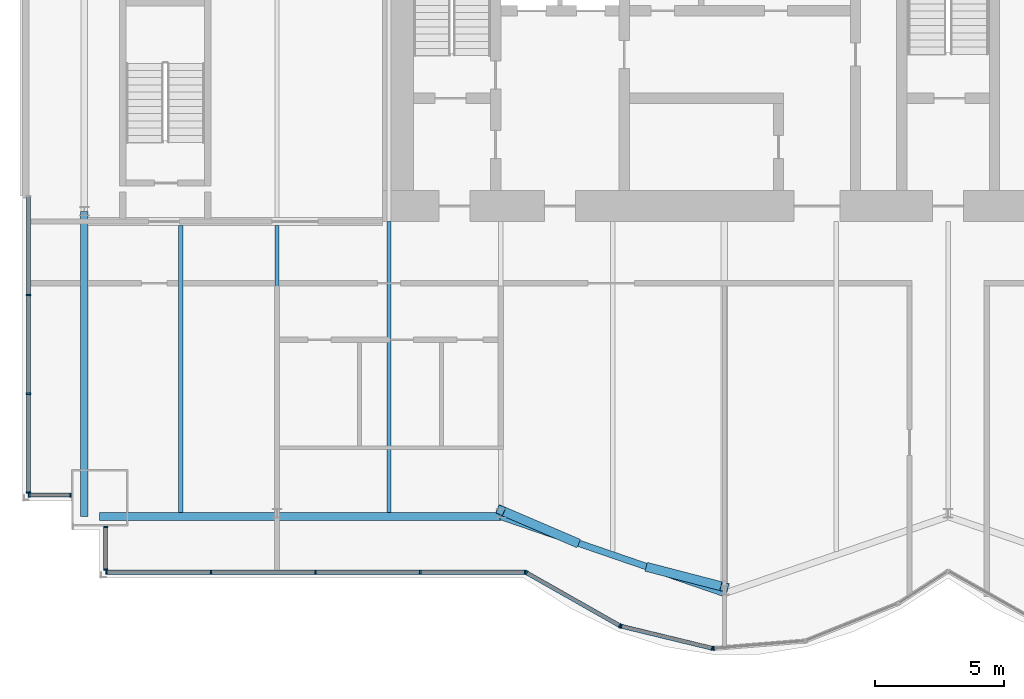
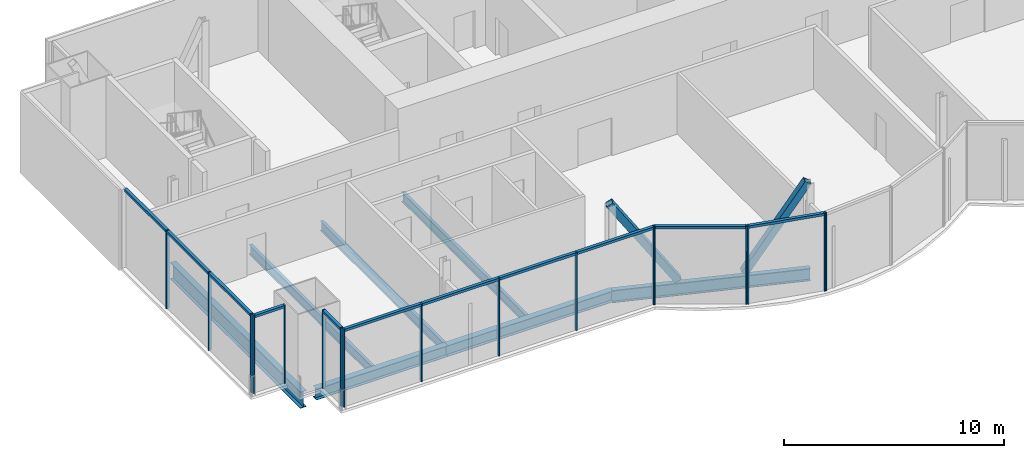
# One storey, part 5 of 18: 30 members, 7 beams, 5 elements without a shape of their own.
"""IFC4 building model written with IfcOpenShell, lengths in metres."""

import ifcopenshell
import ifcopenshell.guid

model = None  # the IFC model being written
_history = None  # IfcOwnerHistory: only IFC2X3 demands one
_inside = {}  # id of a spatial element -> (the spatial element, [elements in it])
_under = {}  # id of a project, library or spatial element -> (it, [spatial elements below it])
_declared = {}  # id of a project -> (the project, [libraries it declares])
_typed = {}  # id of a type object -> (the type object, [elements of that type])
_made_of = {}  # id of a material, layer set ... -> (it, [elements and type objects made of it])


def new_model(schema):
    """Start an empty IFC model of exactly this schema.

    Asked for "IFC4X3", IfcOpenShell would pick the latest addendum, in which some entities
    have other attributes; the version numbers below select the first issue.
    IFC2X3 requires an IfcOwnerHistory on every rooted entity: one is made here for all.
    """
    global model, _history
    if schema == "IFC4X3":
        model = ifcopenshell.file(schema_version=(4, 3, 0, 0))
    else:
        model = ifcopenshell.file(schema=schema)
    _inside.clear()
    _under.clear()
    _declared.clear()
    _typed.clear()
    _made_of.clear()
    _history = None
    if model.schema == "IFC2X3":
        org = make("IfcOrganization", Name="unknown")
        user = make(
            "IfcPersonAndOrganization",
            ThePerson=make("IfcPerson", FamilyName="unknown"),
            TheOrganization=org,
        )
        app = make(
            "IfcApplication",
            ApplicationDeveloper=org,
            Version="unknown",
            ApplicationFullName="unknown",
            ApplicationIdentifier="unknown",
        )
        _history = make(
            "IfcOwnerHistory",
            OwningUser=user,
            OwningApplication=app,
            ChangeAction="ADDED",
            CreationDate=0,
        )
    return model


def make(cls, **values):
    """One entity of the class cls with the attributes given. An attribute that is None is left unset."""
    return model.create_entity(
        cls, **{name: value for name, value in values.items() if value is not None}
    )


def rooted(cls, **values):
    """An entity with a GlobalId (a new one), such as an element, a storey or a relation."""
    return make(cls, GlobalId=ifcopenshell.guid.new(), OwnerHistory=_history, **values)


def si_unit(unit_type, name, prefix=None):
    """IfcSIUnit, for example si_unit("LENGTHUNIT", "METRE", prefix="MILLI")."""
    return make("IfcSIUnit", UnitType=unit_type, Prefix=prefix, Name=name)


def assignment(units):
    """IfcUnitAssignment: the units of a project."""
    return None if units is None else make("IfcUnitAssignment", Units=units)


def point(xyz):
    """IfcCartesianPoint."""
    return None if xyz is None else make("IfcCartesianPoint", Coordinates=xyz)


def direction(xyz):
    """IfcDirection."""
    return None if xyz is None else make("IfcDirection", DirectionRatios=xyz)


def frame(location, z_axis=None, x_axis=None):
    """IfcAxis2Placement3D, a coordinate frame: its origin and axes. An axis left out is left unset."""
    return make(
        "IfcAxis2Placement3D",
        Location=point(location),
        Axis=direction(z_axis),
        RefDirection=direction(x_axis),
    )


def frame_2d(location, x_axis=None):
    """IfcAxis2Placement2D, a coordinate frame in the plane: its origin and x axis."""
    return make(
        "IfcAxis2Placement2D", Location=point(location), RefDirection=direction(x_axis)
    )


def origin():
    """The frame at (0, 0, 0) with its axes left unset."""
    return frame((0.0, 0.0, 0.0))


def origin_2d():
    """The frame at (0, 0) in the plane with its x axis left unset."""
    return frame_2d((0.0, 0.0))


def place(relative_to, where):
    """IfcLocalPlacement: puts the frame where relative to a parent placement (None: the world)."""
    return make(
        "IfcLocalPlacement", PlacementRelTo=relative_to, RelativePlacement=where
    )


def context(
    kind, dimensions, precision=None, world=None, true_north=None, identifier=None
):
    """IfcGeometricRepresentationContext, for example the 3D "Model" context."""
    return make(
        "IfcGeometricRepresentationContext",
        ContextIdentifier=identifier,
        ContextType=kind,
        CoordinateSpaceDimension=dimensions,
        Precision=precision,
        WorldCoordinateSystem=world,
        TrueNorth=true_north,
    )


def subcontext(parent, identifier, kind, view, scale=None):
    """IfcGeometricRepresentationSubContext, for example "Body" below "Model"."""
    return make(
        "IfcGeometricRepresentationSubContext",
        ContextIdentifier=identifier,
        ContextType=kind,
        ParentContext=parent,
        TargetScale=scale,
        TargetView=view,
    )


def project(units=None, contexts=None):
    """IfcProject with its units and contexts."""
    return rooted(
        "IfcProject",
        Name="project",
        RepresentationContexts=contexts,
        UnitsInContext=assignment(units),
    )


def spatial(cls, under=None, at=None, **own):
    """A site, building, storey or space (cls), placed at a placement, below another one or the project."""
    s = rooted(cls, ObjectPlacement=at, **own)
    if under is not None:
        _under.setdefault(under.id(), (under, []))[1].append(s)
    return s


def profile(cls, at=None, kind="AREA", **sizes):
    """A parametric profile (cls). Its sizes go by their IFC names, for example OverallWidth=200.0."""
    return make(cls, ProfileType=kind, Position=at, **sizes)


def rectangle(**sizes):
    """IfcRectangleProfileDef."""
    return profile("IfcRectangleProfileDef", **sizes)


def hollow_rectangle(**sizes):
    """IfcRectangleHollowProfileDef."""
    return profile("IfcRectangleHollowProfileDef", **sizes)


def i_section(**sizes):
    """IfcIShapeProfileDef."""
    return profile("IfcIShapeProfileDef", **sizes)


def extrude(swept, where, along, depth):
    """IfcExtrudedAreaSolid: the profile swept, set in the frame where, extruded along a direction by depth."""
    return make(
        "IfcExtrudedAreaSolid",
        SweptArea=swept,
        Position=where,
        ExtrudedDirection=direction(along),
        Depth=depth,
    )


def shape(context_of_items, identifier, shape_type, items):
    """IfcShapeRepresentation: the items that make up one representation, for example the "Body"."""
    return make(
        "IfcShapeRepresentation",
        ContextOfItems=context_of_items,
        RepresentationIdentifier=identifier,
        RepresentationType=shape_type,
        Items=items,
    )


def material(Name=None, Category=None):
    """IfcMaterial."""
    return make("IfcMaterial", Name=Name, Category=Category)


def material_profile(
    of_material, cross_section, Name=None, Category=None, Priority=None
):
    """IfcMaterialProfile: a cross section and its material."""
    return make(
        "IfcMaterialProfile",
        Name=Name,
        Material=of_material,
        Profile=cross_section,
        Priority=Priority,
        Category=Category,
    )


def profile_set(profiles, Name=None, composite=None):
    """IfcMaterialProfileSet."""
    return make(
        "IfcMaterialProfileSet",
        Name=Name,
        MaterialProfiles=profiles,
        CompositeProfile=composite,
    )


def made_of(thing, what):
    """Note that an element or type object is made of a material, layer set ...; save() writes the relation."""
    if what is not None:
        _made_of.setdefault(what.id(), (what, []))[1].append(thing)
    return thing


def type_object(cls, material=None, **own):
    """A type object (cls), such as IfcWallType, which elements share."""
    return made_of(rooted(cls, **own), material)


def element(
    cls,
    number,
    at=None,
    inside=None,
    cuts=None,
    type_object=None,
    material=None,
    context=None,
    identifier="Body",
    shape_type=None,
    held_by="IfcProductDefinitionShape",
    body=None,
    shapes=None,
    **own,
):
    """One element of the class cls, such as IfcWall. Its Tag is "e" and its number.

    at: its placement. inside: the storey or other place that contains it. cuts: it is an
    opening in that element (IfcRelVoidsElement). A single representation is given by context,
    identifier, shape_type and body (its items); several are given by shapes. held_by: the class
    of the entity that holds the representations. save() writes the other relations.
    """
    e = rooted(cls, Tag="e%d" % number, ObjectPlacement=at, **own)
    if body is not None:
        shapes = [shape(context, identifier, shape_type, body)]
    if shapes is not None:
        e.Representation = make(held_by, Representations=shapes)
    if inside is not None:
        _inside.setdefault(inside.id(), (inside, []))[1].append(e)
    if cuts is not None:
        rooted(
            "IfcRelVoidsElement", RelatingBuildingElement=cuts, RelatedOpeningElement=e
        )
    if type_object is not None:
        _typed.setdefault(type_object.id(), (type_object, []))[1].append(e)
    return made_of(e, material)


def aggregate(whole, parts):
    """IfcRelAggregates: a whole, such as a stair, and the parts it consists of."""
    return rooted("IfcRelAggregates", RelatingObject=whole, RelatedObjects=parts)


def save(model, path):
    """Write the relations noted so far, then the file.

    IfcRelAggregates (storeys below a building ...), IfcRelContainedInSpatialStructure (elements
    in a storey), IfcRelDefinesByType, IfcRelAssociatesMaterial and IfcRelDeclares: one each for
    every whole, place, type object, material and project.
    """
    for whole, parts in _under.values():
        aggregate(whole, parts)
    for where, things in _inside.values():
        rooted(
            "IfcRelContainedInSpatialStructure",
            RelatedElements=things,
            RelatingStructure=where,
        )
    for kind, things in _typed.values():
        rooted("IfcRelDefinesByType", RelatedObjects=things, RelatingType=kind)
    for what, things in _made_of.values():
        rooted("IfcRelAssociatesMaterial", RelatedObjects=things, RelatingMaterial=what)
    for by, libraries in _declared.values():
        rooted("IfcRelDeclares", RelatingContext=by, RelatedDefinitions=libraries)
    model.write(path)


model = new_model("IFC4")

# Units and contexts
model_context = context("Model", 3, precision=1e-05, world=origin(), true_north=direction((0.0, 1.0)))
body_context = subcontext(model_context, "Body", "Model", "MODEL_VIEW")
ifc_project = project(units=[si_unit("LENGTHUNIT", "METRE"), si_unit("AREAUNIT", "SQUARE_METRE"), si_unit("VOLUMEUNIT", "CUBIC_METRE"), si_unit("PLANEANGLEUNIT", "RADIAN"), si_unit("MASSUNIT", "GRAM", prefix="KILO")], contexts=[model_context])

# Site, building, storey
site_placement = place(None, origin())
site = spatial("IfcSite", under=ifc_project, at=site_placement, CompositionType="ELEMENT")
building_placement = place(site_placement, origin())
building = spatial("IfcBuilding", under=site, at=building_placement, Name="Bicima Exchange Tower", CompositionType="ELEMENT")
storey_placement = place(building_placement, frame((0.0, 0.0, 302.0)))
storey = spatial("IfcBuildingStorey", under=building, at=storey_placement, Name="L68", CompositionType="ELEMENT", Elevation=302.0)

# Curtain wall, members
ifc_material_1 = material(Name="Anodised bronze aluminium", Category="aluminium")
curtain_wall_type_1 = type_object("IfcCurtainWallType", Name="End face glass wall", PredefinedType="NOTDEFINED", material=ifc_material_1)
curtain_wall_1_placement = place(storey_placement, origin())
curtain_wall_1 = element("IfcCurtainWall", 1, at=curtain_wall_1_placement, inside=storey, type_object=curtain_wall_type_1, Name="End face glass wall L68 run 2", PredefinedType="NOTDEFINED")
ifc_material_profile_1 = material_profile(ifc_material_1, rectangle(XDim=0.159912109375, YDim=0.06005859375, at=origin_2d()))
ifc_profile_set_1 = profile_set([ifc_material_profile_1], Name="Anodised bronze aluminium")
member_type_1 = type_object("IfcMemberType", Name="End face glass wall mullion 60 x 160", PredefinedType="MULLION", material=ifc_profile_set_1)
member_1_placement = place(storey_placement, frame((-35.77001953125, -15.864013671875, 0.0), z_axis=(0.0, 0.0, 1.0), x_axis=(1.0, 0.0, 0.0)))
member_1 = element("IfcMember", 2, at=member_1_placement, type_object=member_type_1, Name="End face glass wall mullion 2", PredefinedType="MULLION", context=body_context, shape_type="SweptSolid", body=[
    extrude(rectangle(XDim=0.159912109375, YDim=0.06005859375, at=origin_2d()), origin(), (0.0, 0.0, 1.0), 4.35009765625),
])
member_2_placement = place(storey_placement, frame((-35.77001953125, -19.697998046875, 0.0), z_axis=(0.0, 0.0, 1.0), x_axis=(1.0, 0.0, 0.0)))
member_2 = element("IfcMember", 3, at=member_2_placement, type_object=member_type_1, Name="End face glass wall mullion 3", PredefinedType="MULLION", context=body_context, shape_type="SweptSolid", body=[
    extrude(rectangle(XDim=0.159912109375, YDim=0.06005859375, at=origin_2d()), origin(), (0.0, 0.0, 1.0), 4.35009765625),
])
member_3_placement = place(storey_placement, frame((-35.77001953125, -23.531982421875, 0.0), z_axis=(0.0, 0.0, 1.0), x_axis=(1.0, 0.0, 0.0)))
member_3 = element("IfcMember", 4, at=member_3_placement, type_object=member_type_1, Name="End face glass wall mullion 4", PredefinedType="MULLION", context=body_context, shape_type="SweptSolid", body=[
    extrude(rectangle(XDim=0.159912109375, YDim=0.06005859375, at=origin_2d()), origin(), (0.0, 0.0, 1.0), 4.35009765625),
])
ifc_material_profile_2 = material_profile(ifc_material_1, rectangle(XDim=0.159912109375, YDim=0.139892578125, at=origin_2d()))
ifc_profile_set_2 = profile_set([ifc_material_profile_2], Name="Anodised bronze aluminium")
member_type_2 = type_object("IfcMemberType", Name="End face glass wall transom 140 x 160", PredefinedType="USERDEFINED", material=ifc_profile_set_2)
member_4_placement = place(storey_placement, frame((-35.77001953125, -12.06005859375, 4.280029296875), z_axis=(0.0, -1.0, 0.0), x_axis=(1.0, 0.0, 0.0)))
member_4 = element("IfcMember", 5, at=member_4_placement, type_object=member_type_2, Name="End face glass wall transom 1.1", ObjectType="TRANSOM", PredefinedType="USERDEFINED", context=body_context, shape_type="SweptSolid", body=[
    extrude(rectangle(XDim=0.159912109375, YDim=0.139892578125, at=origin_2d()), origin(), (0.0, 0.0, 1.0), 3.77392578125),
])
member_5_placement = place(storey_placement, frame((-35.77001953125, -15.89404296875, 4.280029296875), z_axis=(0.0, -1.0, 0.0), x_axis=(1.0, 0.0, 0.0)))
member_5 = element("IfcMember", 6, at=member_5_placement, type_object=member_type_2, Name="End face glass wall transom 2.1", ObjectType="TRANSOM", PredefinedType="USERDEFINED", context=body_context, shape_type="SweptSolid", body=[
    extrude(rectangle(XDim=0.159912109375, YDim=0.139892578125, at=origin_2d()), origin(), (0.0, 0.0, 1.0), 3.77392578125),
])
member_6_placement = place(storey_placement, frame((-35.77001953125, -19.72802734375, 4.280029296875), z_axis=(0.0, -1.0, 0.0), x_axis=(1.0, 0.0, 0.0)))
member_6 = element("IfcMember", 7, at=member_6_placement, type_object=member_type_2, Name="End face glass wall transom 3.1", ObjectType="TRANSOM", PredefinedType="USERDEFINED", context=body_context, shape_type="SweptSolid", body=[
    extrude(rectangle(XDim=0.159912109375, YDim=0.139892578125, at=origin_2d()), origin(), (0.0, 0.0, 1.0), 3.77392578125),
])
aggregate(curtain_wall_1, [member_1, member_2, member_3, member_4, member_5, member_6])

# Beams
ifc_material_2 = material(Name="Steel ASTM A992 Gr 50", Category="steel")
ifc_material_profile_3 = material_profile(ifc_material_2, i_section(OverallWidth=0.3046875, OverallDepth=0.911865234375, WebThickness=0.015869140625, FlangeThickness=0.02392578125, at=origin_2d()))
ifc_profile_set_3 = profile_set([ifc_material_profile_3], Name="Steel ASTM A992 Gr 50")
beam_type_1 = type_object("IfcBeamType", Name="End girder W36x150", PredefinedType="BEAM", material=ifc_profile_set_3)
beam_1_placement = place(storey_placement, frame((-33.60009765625, -12.60009765625, -0.60595703125), z_axis=(0.0, -1.0, 0.0), x_axis=(1.0, 0.0, 0.0)))
element("IfcBeam", 8, at=beam_1_placement, inside=storey, type_object=beam_type_1, Name="End girder", PredefinedType="BEAM", context=body_context, shape_type="SweptSolid", body=[
    extrude(i_section(OverallWidth=0.3046875, OverallDepth=0.911865234375, WebThickness=0.015869140625, FlangeThickness=0.02392578125, at=origin_2d()), origin(), (0.0, 0.0, 1.0), 11.871826171875),
])
ifc_material_profile_4 = material_profile(ifc_material_2, i_section(OverallWidth=0.165771484375, OverallDepth=0.5283203125, WebThickness=0.009765625, FlangeThickness=0.013671875, at=origin_2d()))
ifc_profile_set_4 = profile_set([ifc_material_profile_4], Name="Steel ASTM A992 Gr 50")
beam_type_2 = type_object("IfcBeamType", Name="Floor beam W21x50", PredefinedType="JOIST", material=ifc_profile_set_4)
for number, where, z_axis, x_axis, name in (
    (9, (-29.85009765625, -13.15234375, -0.414306640625), (0.0, -1.0, 0.0), (1.0, 0.0, 0.0), "Floor beam"),
    (10, (-26.10009765625, -13.15234375, -0.414306640625), (0.0, -1.0, 0.0), (1.0, 0.0, 0.0), "Floor beam"),
):
    element("IfcBeam", number, at=place(storey_placement, frame(where, z_axis=z_axis, x_axis=x_axis)), inside=storey, type_object=beam_type_2, Name=name, PredefinedType="JOIST", context=body_context, shape_type="SweptSolid", body=[
        extrude(i_section(OverallWidth=0.165771484375, OverallDepth=0.5283203125, WebThickness=0.009765625, FlangeThickness=0.013671875, at=origin_2d()), origin(), (0.0, 0.0, 1.0), 11.156982421875),
    ])
beam_2_placement = place(storey_placement, frame((-21.75, -13.0, -0.414306640625), z_axis=(0.0, -1.0, 0.0), x_axis=(1.0, 0.0, 0.0)))
element("IfcBeam", 11, at=beam_2_placement, inside=storey, type_object=beam_type_2, Name="Floor beam", PredefinedType="JOIST", context=body_context, shape_type="SweptSolid", body=[
    extrude(i_section(OverallWidth=0.165771484375, OverallDepth=0.5283203125, WebThickness=0.009765625, FlangeThickness=0.013671875, at=origin_2d()), origin(), (0.0, 0.0, 1.0), 11.309326171875),
])
ifc_material_profile_5 = material_profile(ifc_material_2, i_section(OverallWidth=0.3251953125, OverallDepth=0.612060546875, WebThickness=0.0126953125, FlangeThickness=0.01904296875, at=origin_2d()))
ifc_profile_set_5 = profile_set([ifc_material_profile_5], Name="Steel ASTM A992 Gr 50")
beam_type_3 = type_object("IfcBeamType", Name="Front girder W24x104", PredefinedType="BEAM", material=ifc_profile_set_5)
beam_3_placement = place(storey_placement, frame((-33.0, -24.471923828125, -0.4560546875), z_axis=(1.0, 0.0, 0.0), x_axis=(0.0, 1.0, 0.0)))
element("IfcBeam", 12, at=beam_3_placement, inside=storey, type_object=beam_type_3, Name="Front girder", PredefinedType="BEAM", context=body_context, shape_type="SweptSolid", body=[
    extrude(i_section(OverallWidth=0.3251953125, OverallDepth=0.612060546875, WebThickness=0.0126953125, FlangeThickness=0.01904296875, at=origin_2d()), origin(), (0.0, 0.0, 1.0), 6.89990234375),
])
beam_4_placement = place(storey_placement, frame((-26.10009765625, -24.471923828125, -0.4560546875), z_axis=(1.0, 0.0, 0.0), x_axis=(0.0, 1.0, 0.0)))
element("IfcBeam", 13, at=beam_4_placement, inside=storey, type_object=beam_type_3, Name="Front girder", PredefinedType="BEAM", context=body_context, shape_type="SweptSolid", body=[
    extrude(i_section(OverallWidth=0.3251953125, OverallDepth=0.612060546875, WebThickness=0.0126953125, FlangeThickness=0.01904296875, at=origin_2d()), origin(), (0.0, 0.0, 1.0), 8.7001953125),
])
ifc_material_profile_6 = material_profile(ifc_material_2, i_section(OverallWidth=0.256591796875, OverallDepth=0.693359375, WebThickness=0.014404296875, FlangeThickness=0.023681640625, at=origin_2d()))
ifc_profile_set_6 = profile_set([ifc_material_profile_6], Name="Steel ASTM A992 Gr 50")
beam_type_4 = type_object("IfcBeamType", Name="Front girder W27x114", PredefinedType="BEAM", material=ifc_profile_set_6)
beam_5_placement = place(storey_placement, frame((-17.39990234375, -24.471923828125, -0.49658203125), z_axis=(0.945666456746, -0.325138359143, 0.0), x_axis=(0.325138359143, 0.945666456746, 0.0)))
element("IfcBeam", 14, at=beam_5_placement, inside=storey, type_object=beam_type_4, Name="Front girder", PredefinedType="BEAM", context=body_context, shape_type="SweptSolid", body=[
    extrude(i_section(OverallWidth=0.256591796875, OverallDepth=0.693359375, WebThickness=0.014404296875, FlangeThickness=0.023681640625, at=origin_2d()), origin(), (0.0, 0.0, 1.0), 9.19970703125),
])

# Curtain wall, members
curtain_wall_type_2 = type_object("IfcCurtainWallType", Name="Front glass wall", PredefinedType="NOTDEFINED", material=ifc_material_1)
curtain_wall_2_placement = place(storey_placement, origin())
curtain_wall_2 = element("IfcCurtainWall", 15, at=curtain_wall_2_placement, inside=storey, type_object=curtain_wall_type_2, Name="Front glass wall L68 run 3", PredefinedType="NOTDEFINED")
member_type_3 = type_object("IfcMemberType", Name="Front glass wall mullion 60 x 160", PredefinedType="MULLION", material=ifc_profile_set_1)
member_7_placement = place(storey_placement, frame((-35.739990234375, -23.64208984375, 0.0), z_axis=(0.0, 0.0, 1.0), x_axis=(0.0, 1.0, 0.0)))
member_7 = element("IfcMember", 16, at=member_7_placement, type_object=member_type_3, Name="Front glass wall mullion 1", PredefinedType="MULLION", context=body_context, shape_type="SweptSolid", body=[
    extrude(rectangle(XDim=0.159912109375, YDim=0.06005859375, at=origin_2d()), origin(), (0.0, 0.0, 1.0), 4.35009765625),
])
member_8_placement = place(storey_placement, frame((-34.1298828125, -23.64208984375, 0.0), z_axis=(0.0, 0.0, 1.0), x_axis=(0.0, 1.0, 0.0)))
member_8 = element("IfcMember", 17, at=member_8_placement, type_object=member_type_3, Name="Front glass wall mullion 2", PredefinedType="MULLION", context=body_context, shape_type="SweptSolid", body=[
    extrude(rectangle(XDim=0.159912109375, YDim=0.06005859375, at=origin_2d()), origin(), (0.0, 0.0, 1.0), 4.35009765625),
])

curtain_wall_3_placement = place(storey_placement, origin())
curtain_wall_3 = element("IfcCurtainWall", 18, at=curtain_wall_3_placement, inside=storey, type_object=curtain_wall_type_2, Name="Front glass wall L68 run 4", PredefinedType="NOTDEFINED")
member_9_placement = place(storey_placement, frame((-32.77001953125, -24.8798828125, 0.0), z_axis=(0.0, 0.0, 1.0), x_axis=(1.0, 0.0, 0.0)))
member_9 = element("IfcMember", 19, at=member_9_placement, type_object=member_type_3, Name="Front glass wall mullion 1", PredefinedType="MULLION", context=body_context, shape_type="SweptSolid", body=[
    extrude(rectangle(XDim=0.159912109375, YDim=0.06005859375, at=origin_2d()), origin(), (0.0, 0.0, 1.0), 4.35009765625),
])
member_10_placement = place(storey_placement, frame((-32.77001953125, -26.531982421875, 0.0), z_axis=(0.0, 0.0, 1.0), x_axis=(1.0, 0.0, 0.0)))
member_10 = element("IfcMember", 20, at=member_10_placement, type_object=member_type_3, Name="Front glass wall mullion 2", PredefinedType="MULLION", context=body_context, shape_type="SweptSolid", body=[
    extrude(rectangle(XDim=0.159912109375, YDim=0.06005859375, at=origin_2d()), origin(), (0.0, 0.0, 1.0), 4.35009765625),
])

curtain_wall_4_placement = place(storey_placement, origin())
curtain_wall_4 = element("IfcCurtainWall", 21, at=curtain_wall_4_placement, inside=storey, type_object=curtain_wall_type_2, Name="Front glass wall L68 run 5", PredefinedType="NOTDEFINED")
member_11_placement = place(storey_placement, frame((-32.739990234375, -26.64208984375, 0.0), z_axis=(0.0, 0.0, 1.0), x_axis=(0.0, 1.0, 0.0)))
member_11 = element("IfcMember", 22, at=member_11_placement, type_object=member_type_3, Name="Front glass wall mullion 1", PredefinedType="MULLION", context=body_context, shape_type="SweptSolid", body=[
    extrude(rectangle(XDim=0.159912109375, YDim=0.06005859375, at=origin_2d()), origin(), (0.0, 0.0, 1.0), 4.35009765625),
])
member_12_placement = place(storey_placement, frame((-28.67041015625, -26.64208984375, 0.0), z_axis=(0.0, 0.0, 1.0), x_axis=(0.0, 1.0, 0.0)))
member_12 = element("IfcMember", 23, at=member_12_placement, type_object=member_type_3, Name="Front glass wall mullion 2", PredefinedType="MULLION", context=body_context, shape_type="SweptSolid", body=[
    extrude(rectangle(XDim=0.159912109375, YDim=0.06005859375, at=origin_2d()), origin(), (0.0, 0.0, 1.0), 4.35009765625),
])
member_13_placement = place(storey_placement, frame((-24.60107421875, -26.64208984375, 0.0), z_axis=(0.0, 0.0, 1.0), x_axis=(0.0, 1.0, 0.0)))
member_13 = element("IfcMember", 24, at=member_13_placement, type_object=member_type_3, Name="Front glass wall mullion 3", PredefinedType="MULLION", context=body_context, shape_type="SweptSolid", body=[
    extrude(rectangle(XDim=0.159912109375, YDim=0.06005859375, at=origin_2d()), origin(), (0.0, 0.0, 1.0), 4.35009765625),
])
member_14_placement = place(storey_placement, frame((-20.531494140625, -26.64208984375, 0.0), z_axis=(0.0, 0.0, 1.0), x_axis=(0.0, 1.0, 0.0)))
member_14 = element("IfcMember", 25, at=member_14_placement, type_object=member_type_3, Name="Front glass wall mullion 4", PredefinedType="MULLION", context=body_context, shape_type="SweptSolid", body=[
    extrude(rectangle(XDim=0.159912109375, YDim=0.06005859375, at=origin_2d()), origin(), (0.0, 0.0, 1.0), 4.35009765625),
])
member_15_placement = place(storey_placement, frame((-16.462158203125, -26.64208984375, 0.0), z_axis=(0.0, 0.0, 1.0), x_axis=(0.0, 1.0, 0.0)))
member_15 = element("IfcMember", 26, at=member_15_placement, type_object=member_type_3, Name="Front glass wall mullion 5", PredefinedType="MULLION", context=body_context, shape_type="SweptSolid", body=[
    extrude(rectangle(XDim=0.159912109375, YDim=0.06005859375, at=origin_2d()), origin(), (0.0, 0.0, 1.0), 4.35009765625),
])

curtain_wall_5_placement = place(storey_placement, origin())
curtain_wall_5 = element("IfcCurtainWall", 27, at=curtain_wall_5_placement, inside=storey, type_object=curtain_wall_type_2, Name="Front glass wall L68 run 6", PredefinedType="NOTDEFINED")
member_16_placement = place(storey_placement, frame((-16.406005859375, -26.65673828125, 0.0), z_axis=(0.0, 0.0, 1.0), x_axis=(0.493395449343, 0.869805110681, 0.0)))
member_16 = element("IfcMember", 28, at=member_16_placement, type_object=member_type_3, Name="Front glass wall mullion 1", PredefinedType="MULLION", context=body_context, shape_type="SweptSolid", body=[
    extrude(rectangle(XDim=0.159912109375, YDim=0.06005859375, at=origin_2d()), origin(), (0.0, 0.0, 1.0), 4.35009765625),
])
member_17_placement = place(storey_placement, frame((-12.7734375, -28.71728515625, 0.0), z_axis=(0.0, 0.0, 1.0), x_axis=(0.493395449343, 0.869805110681, 0.0)))
member_17 = element("IfcMember", 29, at=member_17_placement, type_object=member_type_3, Name="Front glass wall mullion 2", PredefinedType="MULLION", context=body_context, shape_type="SweptSolid", body=[
    extrude(rectangle(XDim=0.159912109375, YDim=0.06005859375, at=origin_2d()), origin(), (0.0, 0.0, 1.0), 4.35009765625),
])
member_18_placement = place(storey_placement, frame((-12.718017578125, -28.7392578125, 0.0), z_axis=(0.0, 0.0, 1.0), x_axis=(0.235681529503, 0.971830343553, 0.0)))
member_18 = element("IfcMember", 30, at=member_18_placement, type_object=member_type_3, Name="Front glass wall mullion 1", PredefinedType="MULLION", context=body_context, shape_type="SweptSolid", body=[
    extrude(rectangle(XDim=0.159912109375, YDim=0.06005859375, at=origin_2d()), origin(), (0.0, 0.0, 1.0), 4.35009765625),
])
member_19_placement = place(storey_placement, frame((-9.177490234375, -29.597900390625, 0.0), z_axis=(0.0, 0.0, 1.0), x_axis=(0.235681529503, 0.971830343553, 0.0)))
member_19 = element("IfcMember", 31, at=member_19_placement, type_object=member_type_3, Name="Front glass wall mullion 2", PredefinedType="MULLION", context=body_context, shape_type="SweptSolid", body=[
    extrude(rectangle(XDim=0.159912109375, YDim=0.06005859375, at=origin_2d()), origin(), (0.0, 0.0, 1.0), 4.35009765625),
])
member_20_placement = place(storey_placement, frame((-9.118408203125, -29.6025390625, 0.0), z_axis=(0.0, 0.0, 1.0), x_axis=(-0.080588612633, 0.99674744821, 0.0)))
member_20 = element("IfcMember", 32, at=member_20_placement, type_object=member_type_3, Name="Front glass wall mullion 1", PredefinedType="MULLION", context=body_context, shape_type="SweptSolid", body=[
    extrude(rectangle(XDim=0.159912109375, YDim=0.06005859375, at=origin_2d()), origin(), (0.0, 0.0, 1.0), 4.35009765625),
])

# Member
member_type_4 = type_object("IfcMemberType", Name="Front glass wall transom 140 x 160", PredefinedType="USERDEFINED", material=ifc_profile_set_2)
member_21_placement = place(storey_placement, frame((-35.7099609375, -23.64208984375, 4.280029296875), z_axis=(1.0, 0.0, 0.0), x_axis=(0.0, 1.0, 0.0)))
member_21 = element("IfcMember", 33, at=member_21_placement, type_object=member_type_4, Name="Front glass wall transom 1.1", ObjectType="TRANSOM", PredefinedType="USERDEFINED", context=body_context, shape_type="SweptSolid", body=[
    extrude(rectangle(XDim=0.159912109375, YDim=0.139892578125, at=origin_2d()), origin(), (0.0, 0.0, 1.0), 1.550048828125),
])

aggregate(curtain_wall_2, [member_7, member_8, member_21])

member_22_placement = place(storey_placement, frame((-32.77001953125, -24.909912109375, 4.280029296875), z_axis=(0.0, -1.0, 0.0), x_axis=(1.0, 0.0, 0.0)))
member_22 = element("IfcMember", 34, at=member_22_placement, type_object=member_type_4, Name="Front glass wall transom 1.1", ObjectType="TRANSOM", PredefinedType="USERDEFINED", context=body_context, shape_type="SweptSolid", body=[
    extrude(rectangle(XDim=0.159912109375, YDim=0.139892578125, at=origin_2d()), origin(), (0.0, 0.0, 1.0), 1.592041015625),
])

aggregate(curtain_wall_3, [member_9, member_10, member_22])

member_23_placement = place(storey_placement, frame((-32.7099609375, -26.64208984375, 4.280029296875), z_axis=(1.0, 0.0, 0.0), x_axis=(0.0, 1.0, 0.0)))
member_23 = element("IfcMember", 35, at=member_23_placement, type_object=member_type_4, Name="Front glass wall transom 1.1", ObjectType="TRANSOM", PredefinedType="USERDEFINED", context=body_context, shape_type="SweptSolid", body=[
    extrude(rectangle(XDim=0.159912109375, YDim=0.139892578125, at=origin_2d()), origin(), (0.0, 0.0, 1.0), 4.009521484375),
])

member_24_placement = place(storey_placement, frame((-28.640380859375, -26.64208984375, 4.280029296875), z_axis=(1.0, 0.0, 0.0), x_axis=(0.0, 1.0, 0.0)))
member_24 = element("IfcMember", 36, at=member_24_placement, type_object=member_type_4, Name="Front glass wall transom 2.1", ObjectType="TRANSOM", PredefinedType="USERDEFINED", context=body_context, shape_type="SweptSolid", body=[
    extrude(rectangle(XDim=0.159912109375, YDim=0.139892578125, at=origin_2d()), origin(), (0.0, 0.0, 1.0), 4.00927734375),
])

member_25_placement = place(storey_placement, frame((-24.571044921875, -26.64208984375, 4.280029296875), z_axis=(1.0, 0.0, 0.0), x_axis=(0.0, 1.0, 0.0)))
member_25 = element("IfcMember", 37, at=member_25_placement, type_object=member_type_4, Name="Front glass wall transom 3.1", ObjectType="TRANSOM", PredefinedType="USERDEFINED", context=body_context, shape_type="SweptSolid", body=[
    extrude(rectangle(XDim=0.159912109375, YDim=0.139892578125, at=origin_2d()), origin(), (0.0, 0.0, 1.0), 4.009521484375),
])

member_26_placement = place(storey_placement, frame((-20.501708984375, -26.64208984375, 4.280029296875), z_axis=(1.0, 0.0, 0.0), x_axis=(0.0, 1.0, 0.0)))
member_26 = element("IfcMember", 38, at=member_26_placement, type_object=member_type_4, Name="Front glass wall transom 4.1", ObjectType="TRANSOM", PredefinedType="USERDEFINED", context=body_context, shape_type="SweptSolid", body=[
    extrude(rectangle(XDim=0.159912109375, YDim=0.139892578125, at=origin_2d()), origin(), (0.0, 0.0, 1.0), 4.009521484375),
])

aggregate(curtain_wall_4, [member_11, member_12, member_13, member_14, member_15, member_23, member_24, member_25, member_26])

member_27_placement = place(storey_placement, frame((-16.3798828125, -26.671630859375, 4.280029296875), z_axis=(0.869797371721, -0.49340909208, 0.0), x_axis=(0.49340909208, 0.869797371721, 0.0)))
member_27 = element("IfcMember", 39, at=member_27_placement, type_object=member_type_4, Name="Front glass wall transom 1.1", ObjectType="TRANSOM", PredefinedType="USERDEFINED", context=body_context, shape_type="SweptSolid", body=[
    extrude(rectangle(XDim=0.159912109375, YDim=0.139892578125, at=origin_2d()), origin(), (0.0, 0.0, 1.0), 4.1162109375),
])

member_28_placement = place(storey_placement, frame((-12.68896484375, -28.746337890625, 4.280029296875), z_axis=(0.971833557815, -0.235668275132, 0.0), x_axis=(0.235668275132, 0.971833557815, 0.0)))
member_28 = element("IfcMember", 40, at=member_28_placement, type_object=member_type_4, Name="Front glass wall transom 1.1", ObjectType="TRANSOM", PredefinedType="USERDEFINED", context=body_context, shape_type="SweptSolid", body=[
    extrude(rectangle(XDim=0.159912109375, YDim=0.139892578125, at=origin_2d()), origin(), (0.0, 0.0, 1.0), 3.583251953125),
])

aggregate(curtain_wall_5, [member_16, member_17, member_27, member_18, member_19, member_28, member_20])

# Members
ifc_material_3 = material(Name="Steel ASTM A572 Gr 50", Category="steel")
ifc_material_profile_7 = material_profile(ifc_material_3, hollow_rectangle(XDim=0.355712890625, YDim=0.355712890625, WallThickness=0.01171875, at=origin_2d()))
ifc_profile_set_7 = profile_set([ifc_material_profile_7], Name="Steel ASTM A572 Gr 50")
member_type_5 = type_object("IfcMemberType", Name="Mega brace HSS14x14x1/2", PredefinedType="BRACE", material=ifc_profile_set_7)
member_29_placement = place(storey_placement, frame((-11.60009765625, -26.466064453125, 0.0), z_axis=(0.536441319388, -0.139269722114, 0.832366899483), x_axis=(0.251287335414, 0.967912534819, 0.0)))
element("IfcMember", 41, at=member_29_placement, inside=storey, type_object=member_type_5, Name="Mega brace front", PredefinedType="BRACE", context=body_context, shape_type="SweptSolid", body=[
    extrude(hollow_rectangle(XDim=0.355712890625, YDim=0.355712890625, WallThickness=0.01171875, at=origin_2d()), origin(), (0.0, 0.0, 1.0), 5.40625),
])
member_30_placement = place(storey_placement, frame((-14.5, -25.468994140625, 0.0), z_axis=(-0.527696221197, 0.225819152412, 0.818866538905), x_axis=(-0.393424148395, -0.919357079409, 0.0)))
element("IfcMember", 42, at=member_30_placement, inside=storey, type_object=member_type_5, Name="Mega brace front", PredefinedType="BRACE", context=body_context, shape_type="SweptSolid", body=[
    extrude(hollow_rectangle(XDim=0.355712890625, YDim=0.355712890625, WallThickness=0.01171875, at=origin_2d()), origin(), (0.0, 0.0, 1.0), 5.495361328125),
])

save(model, "model.ifc")
